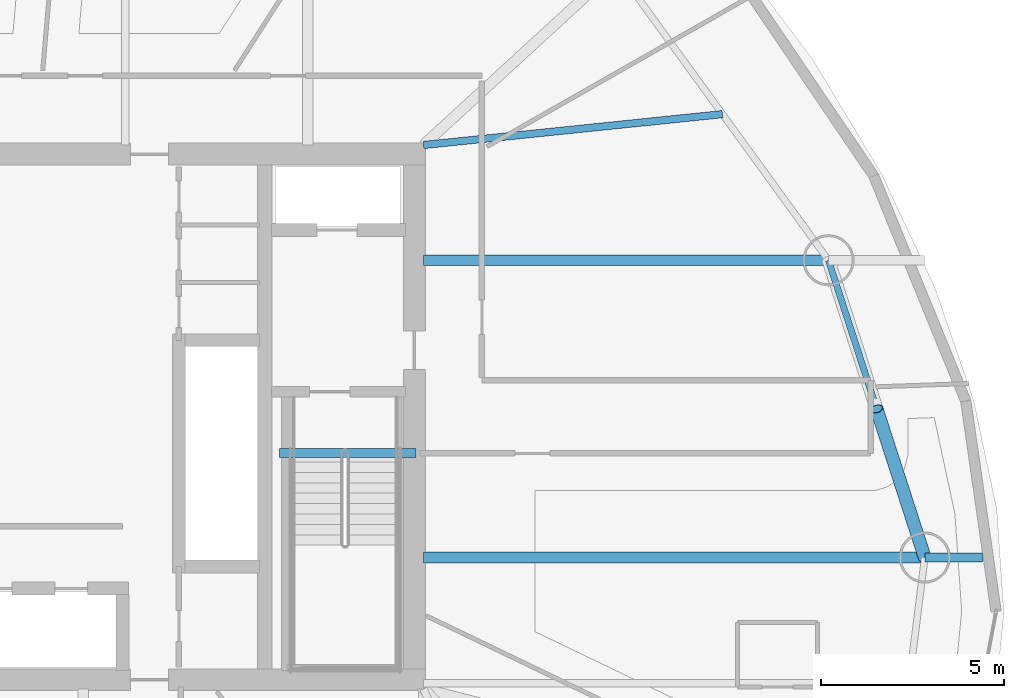
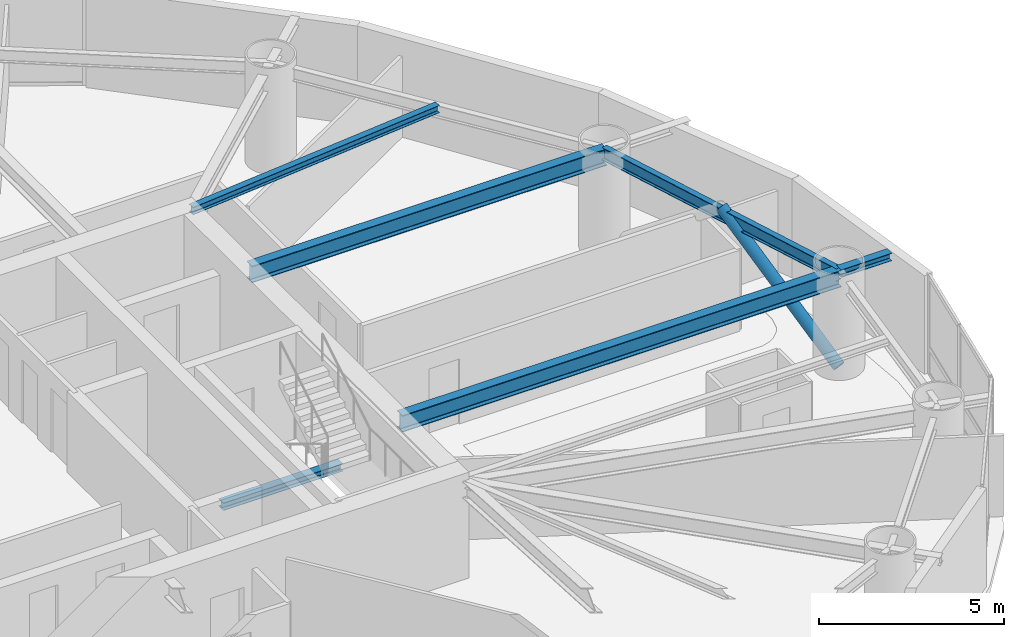
# One storey, part 8 of 22: 6 beams, 1 member.
"""IFC4 building model written with IfcOpenShell, lengths in metres."""

import ifcopenshell
import ifcopenshell.guid

model = None  # the IFC model being written
_history = None  # IfcOwnerHistory: only IFC2X3 demands one
_inside = {}  # id of a spatial element -> (the spatial element, [elements in it])
_under = {}  # id of a project, library or spatial element -> (it, [spatial elements below it])
_declared = {}  # id of a project -> (the project, [libraries it declares])
_typed = {}  # id of a type object -> (the type object, [elements of that type])
_made_of = {}  # id of a material, layer set ... -> (it, [elements and type objects made of it])


def new_model(schema):
    """Start an empty IFC model of exactly this schema.

    Asked for "IFC4X3", IfcOpenShell would pick the latest addendum, in which some entities
    have other attributes; the version numbers below select the first issue.
    IFC2X3 requires an IfcOwnerHistory on every rooted entity: one is made here for all.
    """
    global model, _history
    if schema == "IFC4X3":
        model = ifcopenshell.file(schema_version=(4, 3, 0, 0))
    else:
        model = ifcopenshell.file(schema=schema)
    _inside.clear()
    _under.clear()
    _declared.clear()
    _typed.clear()
    _made_of.clear()
    _history = None
    if model.schema == "IFC2X3":
        org = make("IfcOrganization", Name="unknown")
        user = make(
            "IfcPersonAndOrganization",
            ThePerson=make("IfcPerson", FamilyName="unknown"),
            TheOrganization=org,
        )
        app = make(
            "IfcApplication",
            ApplicationDeveloper=org,
            Version="unknown",
            ApplicationFullName="unknown",
            ApplicationIdentifier="unknown",
        )
        _history = make(
            "IfcOwnerHistory",
            OwningUser=user,
            OwningApplication=app,
            ChangeAction="ADDED",
            CreationDate=0,
        )
    return model


def make(cls, **values):
    """One entity of the class cls with the attributes given. An attribute that is None is left unset."""
    return model.create_entity(
        cls, **{name: value for name, value in values.items() if value is not None}
    )


def rooted(cls, **values):
    """An entity with a GlobalId (a new one), such as an element, a storey or a relation."""
    return make(cls, GlobalId=ifcopenshell.guid.new(), OwnerHistory=_history, **values)


def si_unit(unit_type, name, prefix=None):
    """IfcSIUnit, for example si_unit("LENGTHUNIT", "METRE", prefix="MILLI")."""
    return make("IfcSIUnit", UnitType=unit_type, Prefix=prefix, Name=name)


def assignment(units):
    """IfcUnitAssignment: the units of a project."""
    return None if units is None else make("IfcUnitAssignment", Units=units)


def point(xyz):
    """IfcCartesianPoint."""
    return None if xyz is None else make("IfcCartesianPoint", Coordinates=xyz)


def direction(xyz):
    """IfcDirection."""
    return None if xyz is None else make("IfcDirection", DirectionRatios=xyz)


def frame(location, z_axis=None, x_axis=None):
    """IfcAxis2Placement3D, a coordinate frame: its origin and axes. An axis left out is left unset."""
    return make(
        "IfcAxis2Placement3D",
        Location=point(location),
        Axis=direction(z_axis),
        RefDirection=direction(x_axis),
    )


def frame_2d(location, x_axis=None):
    """IfcAxis2Placement2D, a coordinate frame in the plane: its origin and x axis."""
    return make(
        "IfcAxis2Placement2D", Location=point(location), RefDirection=direction(x_axis)
    )


def origin():
    """The frame at (0, 0, 0) with its axes left unset."""
    return frame((0.0, 0.0, 0.0))


def origin_2d():
    """The frame at (0, 0) in the plane with its x axis left unset."""
    return frame_2d((0.0, 0.0))


def place(relative_to, where):
    """IfcLocalPlacement: puts the frame where relative to a parent placement (None: the world)."""
    return make(
        "IfcLocalPlacement", PlacementRelTo=relative_to, RelativePlacement=where
    )


def context(
    kind, dimensions, precision=None, world=None, true_north=None, identifier=None
):
    """IfcGeometricRepresentationContext, for example the 3D "Model" context."""
    return make(
        "IfcGeometricRepresentationContext",
        ContextIdentifier=identifier,
        ContextType=kind,
        CoordinateSpaceDimension=dimensions,
        Precision=precision,
        WorldCoordinateSystem=world,
        TrueNorth=true_north,
    )


def subcontext(parent, identifier, kind, view, scale=None):
    """IfcGeometricRepresentationSubContext, for example "Body" below "Model"."""
    return make(
        "IfcGeometricRepresentationSubContext",
        ContextIdentifier=identifier,
        ContextType=kind,
        ParentContext=parent,
        TargetScale=scale,
        TargetView=view,
    )


def project(units=None, contexts=None):
    """IfcProject with its units and contexts."""
    return rooted(
        "IfcProject",
        Name="project",
        RepresentationContexts=contexts,
        UnitsInContext=assignment(units),
    )


def spatial(cls, under=None, at=None, **own):
    """A site, building, storey or space (cls), placed at a placement, below another one or the project."""
    s = rooted(cls, ObjectPlacement=at, **own)
    if under is not None:
        _under.setdefault(under.id(), (under, []))[1].append(s)
    return s


def profile(cls, at=None, kind="AREA", **sizes):
    """A parametric profile (cls). Its sizes go by their IFC names, for example OverallWidth=200.0."""
    return make(cls, ProfileType=kind, Position=at, **sizes)


def hollow_circle(**sizes):
    """IfcCircleHollowProfileDef."""
    return profile("IfcCircleHollowProfileDef", **sizes)


def i_section(**sizes):
    """IfcIShapeProfileDef."""
    return profile("IfcIShapeProfileDef", **sizes)


def extrude(swept, where, along, depth):
    """IfcExtrudedAreaSolid: the profile swept, set in the frame where, extruded along a direction by depth."""
    return make(
        "IfcExtrudedAreaSolid",
        SweptArea=swept,
        Position=where,
        ExtrudedDirection=direction(along),
        Depth=depth,
    )


def shape(context_of_items, identifier, shape_type, items):
    """IfcShapeRepresentation: the items that make up one representation, for example the "Body"."""
    return make(
        "IfcShapeRepresentation",
        ContextOfItems=context_of_items,
        RepresentationIdentifier=identifier,
        RepresentationType=shape_type,
        Items=items,
    )


def material(Name=None, Category=None):
    """IfcMaterial."""
    return make("IfcMaterial", Name=Name, Category=Category)


def material_profile(
    of_material, cross_section, Name=None, Category=None, Priority=None
):
    """IfcMaterialProfile: a cross section and its material."""
    return make(
        "IfcMaterialProfile",
        Name=Name,
        Material=of_material,
        Profile=cross_section,
        Priority=Priority,
        Category=Category,
    )


def profile_set(profiles, Name=None, composite=None):
    """IfcMaterialProfileSet."""
    return make(
        "IfcMaterialProfileSet",
        Name=Name,
        MaterialProfiles=profiles,
        CompositeProfile=composite,
    )


def made_of(thing, what):
    """Note that an element or type object is made of a material, layer set ...; save() writes the relation."""
    if what is not None:
        _made_of.setdefault(what.id(), (what, []))[1].append(thing)
    return thing


def type_object(cls, material=None, **own):
    """A type object (cls), such as IfcWallType, which elements share."""
    return made_of(rooted(cls, **own), material)


def element(
    cls,
    number,
    at=None,
    inside=None,
    cuts=None,
    type_object=None,
    material=None,
    context=None,
    identifier="Body",
    shape_type=None,
    held_by="IfcProductDefinitionShape",
    body=None,
    shapes=None,
    **own,
):
    """One element of the class cls, such as IfcWall. Its Tag is "e" and its number.

    at: its placement. inside: the storey or other place that contains it. cuts: it is an
    opening in that element (IfcRelVoidsElement). A single representation is given by context,
    identifier, shape_type and body (its items); several are given by shapes. held_by: the class
    of the entity that holds the representations. save() writes the other relations.
    """
    e = rooted(cls, Tag="e%d" % number, ObjectPlacement=at, **own)
    if body is not None:
        shapes = [shape(context, identifier, shape_type, body)]
    if shapes is not None:
        e.Representation = make(held_by, Representations=shapes)
    if inside is not None:
        _inside.setdefault(inside.id(), (inside, []))[1].append(e)
    if cuts is not None:
        rooted(
            "IfcRelVoidsElement", RelatingBuildingElement=cuts, RelatedOpeningElement=e
        )
    if type_object is not None:
        _typed.setdefault(type_object.id(), (type_object, []))[1].append(e)
    return made_of(e, material)


def aggregate(whole, parts):
    """IfcRelAggregates: a whole, such as a stair, and the parts it consists of."""
    return rooted("IfcRelAggregates", RelatingObject=whole, RelatedObjects=parts)


def save(model, path):
    """Write the relations noted so far, then the file.

    IfcRelAggregates (storeys below a building ...), IfcRelContainedInSpatialStructure (elements
    in a storey), IfcRelDefinesByType, IfcRelAssociatesMaterial and IfcRelDeclares: one each for
    every whole, place, type object, material and project.
    """
    for whole, parts in _under.values():
        aggregate(whole, parts)
    for where, things in _inside.values():
        rooted(
            "IfcRelContainedInSpatialStructure",
            RelatedElements=things,
            RelatingStructure=where,
        )
    for kind, things in _typed.values():
        rooted("IfcRelDefinesByType", RelatedObjects=things, RelatingType=kind)
    for what, things in _made_of.values():
        rooted("IfcRelAssociatesMaterial", RelatedObjects=things, RelatingMaterial=what)
    for by, libraries in _declared.values():
        rooted("IfcRelDeclares", RelatingContext=by, RelatedDefinitions=libraries)
    model.write(path)


model = new_model("IFC4")

# Units and contexts
model_context = context("Model", 3, precision=1e-05, world=origin(), true_north=direction((0.0, 1.0)))
body_context = subcontext(model_context, "Body", "Model", "MODEL_VIEW")
ifc_project = project(units=[si_unit("LENGTHUNIT", "METRE"), si_unit("AREAUNIT", "SQUARE_METRE"), si_unit("VOLUMEUNIT", "CUBIC_METRE"), si_unit("PLANEANGLEUNIT", "RADIAN"), si_unit("MASSUNIT", "GRAM", prefix="KILO")], contexts=[model_context])

# Site, building, storey
site_placement = place(None, origin())
site = spatial("IfcSite", under=ifc_project, at=site_placement, CompositionType="ELEMENT")
building_placement = place(site_placement, origin())
building = spatial("IfcBuilding", under=site, at=building_placement, Name="Bramvorn Convention Spire", CompositionType="ELEMENT")
storey_placement = place(building_placement, frame((0.0, 0.0, 120.300048828125)))
storey = spatial("IfcBuildingStorey", under=building, at=storey_placement, Name="L29", CompositionType="ELEMENT", Elevation=120.300048828125)

# Beams
ifc_material = material(Name="Steel CSA G40.21 Grade 350 (350W)", Category="steel")
ifc_material_profile_1 = material_profile(ifc_material, i_section(OverallWidth=0.201904296875, OverallDepth=0.2470703125, WebThickness=0.00732421875, FlangeThickness=0.010986328125, FilletRadius=0.011962890625, at=origin_2d()))
ifc_profile_set_1 = profile_set([ifc_material_profile_1], Name="Steel CSA G40.21 Grade 350 (350W) - W250X49")
beam_type_1 = type_object("IfcBeamType", Name="BM-W250X49", PredefinedType="JOIST", material=ifc_profile_set_1)
beam_1_placement = place(storey_placement, frame((49.25, 33.449951171875, 3.136474609375), z_axis=(0.994705076194, 0.102770673804, 0.0), x_axis=(-0.102770673804, 0.994705076194, 0.0)))
element("IfcBeam", 1, at=beam_1_placement, inside=storey, type_object=beam_type_1, Name="L29 composite floor joist 03", PredefinedType="JOIST", context=body_context, shape_type="SweptSolid", body=[
    extrude(i_section(OverallWidth=0.201904296875, OverallDepth=0.2470703125, WebThickness=0.00732421875, FlangeThickness=0.010986328125, FilletRadius=0.011962890625, at=origin_2d()), origin(), (0.0, 0.0, 1.0), 8.23388671875),
])
ifc_material_profile_2 = material_profile(ifc_material, i_section(OverallWidth=0.25390625, OverallDepth=0.2529296875, WebThickness=0.008544921875, FlangeThickness=0.01416015625, FilletRadius=0.011962890625, at=origin_2d()))
ifc_profile_set_2 = profile_set([ifc_material_profile_2], Name="Steel CSA G40.21 Grade 350 (350W) - W250X73")
beam_type_2 = type_object("IfcBeamType", Name="BM-W250X73", PredefinedType="BEAM", material=ifc_profile_set_2)
beam_2_placement = place(storey_placement, frame((62.983642578125, 22.148193359375, 3.133544921875), z_axis=(1.0, 0.0, 0.0), x_axis=(0.0, 1.0, 0.0)))
element("IfcBeam", 2, at=beam_2_placement, inside=storey, type_object=beam_type_2, Name="L29 slab-edge cantilever tip beam MC02", PredefinedType="BEAM", context=body_context, shape_type="SweptSolid", body=[
    extrude(i_section(OverallWidth=0.25390625, OverallDepth=0.2529296875, WebThickness=0.008544921875, FlangeThickness=0.01416015625, FilletRadius=0.011962890625, at=origin_2d()), origin(), (0.0, 0.0, 1.0), 1.582763671875),
])
beam_3_placement = place(storey_placement, frame((45.31005859375, 25.010009765625, -0.12646484375), z_axis=(1.0, 0.0, 0.0), x_axis=(0.0, 1.0, 0.0)))
element("IfcBeam", 3, at=beam_3_placement, inside=storey, type_object=beam_type_2, Name="L29 ST2 stair arrival header beam", PredefinedType="BEAM", context=body_context, shape_type="SweptSolid", body=[
    extrude(i_section(OverallWidth=0.25390625, OverallDepth=0.2529296875, WebThickness=0.008544921875, FlangeThickness=0.01416015625, FilletRadius=0.011962890625, at=origin_2d()), origin(), (0.0, 0.0, 1.0), 3.739990234375),
])
ifc_material_profile_3 = material_profile(ifc_material, i_section(OverallWidth=0.180908203125, OverallDepth=0.4169921875, WebThickness=0.010986328125, FlangeThickness=0.018310546875, FilletRadius=0.01611328125, at=origin_2d()))
ifc_profile_set_3 = profile_set([ifc_material_profile_3], Name="Steel CSA G40.21 Grade 350 (350W) - W410X85")
beam_type_3 = type_object("IfcBeamType", Name="BM-W410X85", PredefinedType="JOIST", material=ifc_profile_set_3)
beam_4_placement = place(storey_placement, frame((62.983642578125, 22.148193359375, 3.051513671875), z_axis=(-0.308114853612, 0.951349166701, 0.0), x_axis=(-0.951349166701, -0.308114853612, 0.0)))
element("IfcBeam", 4, at=beam_4_placement, inside=storey, type_object=beam_type_3, Name="L29 mega-column ring beam 02", PredefinedType="JOIST", context=body_context, shape_type="SweptSolid", body=[
    extrude(i_section(OverallWidth=0.180908203125, OverallDepth=0.4169921875, WebThickness=0.010986328125, FlangeThickness=0.018310546875, FilletRadius=0.01611328125, at=origin_2d()), origin(), (0.0, 0.0, 1.0), 8.5615234375),
])
ifc_material_profile_4 = material_profile(ifc_material, i_section(OverallWidth=0.2919921875, OverallDepth=0.551025390625, WebThickness=0.01513671875, FlangeThickness=0.0244140625, FilletRadius=0.01904296875, at=origin_2d()))
ifc_profile_set_4 = profile_set([ifc_material_profile_4], Name="Steel CSA G40.21 Grade 350 (350W) - W530X182")
beam_type_4 = type_object("IfcBeamType", Name="BM-W530X182", PredefinedType="BEAM", material=ifc_profile_set_4)
beam_5_placement = place(storey_placement, frame((49.25, 22.148193359375, 2.984375), z_axis=(1.0, 0.0, 0.0), x_axis=(0.0, 1.0, 0.0)))
element("IfcBeam", 5, at=beam_5_placement, inside=storey, type_object=beam_type_4, Name="L29 radial floor girder MC02", PredefinedType="BEAM", context=body_context, shape_type="SweptSolid", body=[
    extrude(i_section(OverallWidth=0.2919921875, OverallDepth=0.551025390625, WebThickness=0.01513671875, FlangeThickness=0.0244140625, FilletRadius=0.01904296875, at=origin_2d()), origin(), (0.0, 0.0, 1.0), 13.733642578125),
])
beam_6_placement = place(storey_placement, frame((49.25, 30.293212890625, 2.984375), z_axis=(1.0, 0.0, 0.0), x_axis=(0.0, 1.0, 0.0)))
element("IfcBeam", 6, at=beam_6_placement, inside=storey, type_object=beam_type_4, Name="L29 radial floor girder MC03", PredefinedType="BEAM", context=body_context, shape_type="SweptSolid", body=[
    extrude(i_section(OverallWidth=0.2919921875, OverallDepth=0.551025390625, WebThickness=0.01513671875, FlangeThickness=0.0244140625, FilletRadius=0.01904296875, at=origin_2d()), origin(), (0.0, 0.0, 1.0), 11.095703125),
])

# Member
ifc_material_profile_5 = material_profile(ifc_material, hollow_circle(Radius=0.177734375, WallThickness=0.015869140625, at=origin_2d()))
ifc_profile_set_5 = profile_set([ifc_material_profile_5], Name="Steel CSA G40.21 Grade 350 (350W) - CHS356X16")
member_type = type_object("IfcMemberType", Name="MBR-CHS356X16", PredefinedType="BRACE", material=ifc_profile_set_5)
member_placement = place(storey_placement, frame((62.983642578125, 22.148193359375, 0.0), z_axis=(-0.245105274589, 0.75686802766, 0.605866481227), x_axis=(-0.951357525158, -0.308089044476, 0.0)))
element("IfcMember", 7, at=member_placement, inside=storey, type_object=member_type, Name="L29 perimeter Gothic lancet brace 2A", PredefinedType="BRACE", context=body_context, shape_type="SweptSolid", body=[
    extrude(hollow_circle(Radius=0.177734375, WallThickness=0.015869140625, at=origin_2d()), origin(), (0.0, 0.0, 1.0), 5.380859375),
])

save(model, "model.ifc")
